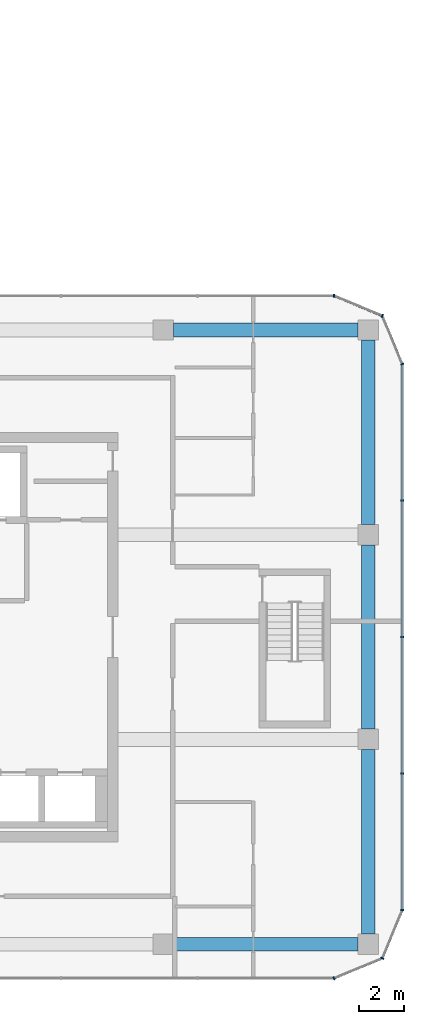
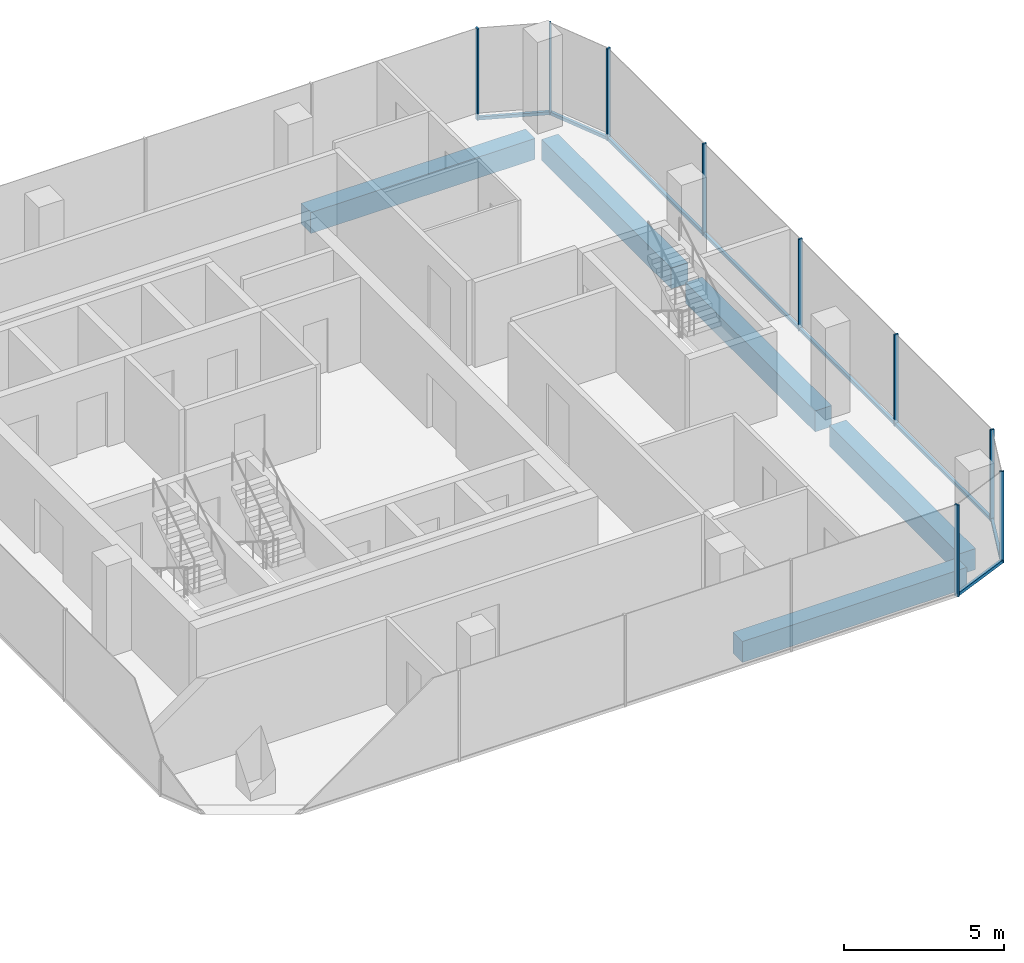
# One storey, part 10 of 23: 14 members, 5 beams, 6 elements without a shape of their own.
"""IFC4 building model written with IfcOpenShell, lengths in metres."""

from ifc_helpers import new_model, si_unit, direction, frame, origin, origin_2d, place, context, subcontext, project, spatial, rectangle, extrude, material, layer, layer_set, material_profile, profile_set, type_object, element, aggregate, save


model = new_model("IFC4")

# Units and contexts
model_context = context("Model", 3, precision=1e-05, world=origin(), true_north=direction((0.0, 1.0)))
body_context = subcontext(model_context, "Body", "Model", "MODEL_VIEW")
ifc_project = project(units=[si_unit("LENGTHUNIT", "METRE"), si_unit("AREAUNIT", "SQUARE_METRE"), si_unit("VOLUMEUNIT", "CUBIC_METRE"), si_unit("PLANEANGLEUNIT", "RADIAN"), si_unit("MASSUNIT", "GRAM", prefix="KILO")], contexts=[model_context])

# Site, building, storey
site_placement = place(None, origin())
site = spatial("IfcSite", under=ifc_project, at=site_placement, CompositionType="ELEMENT")
building_placement = place(site_placement, origin())
building = spatial("IfcBuilding", under=site, at=building_placement, Name="Plateau Cross Towers", CompositionType="ELEMENT")
storey_placement = place(building_placement, frame((0.0, 0.0, 88.800048828125)))
storey = spatial("IfcBuildingStorey", under=building, at=storey_placement, Name="L22", CompositionType="ELEMENT", Elevation=88.800048828125)

# Curtain wall, member
ifc_material_1 = material(Name="Dark low-iron glass", Category="glass")
ifc_layer = layer(ifc_material_1, 0.239990234375)
ifc_layer_set = layer_set([ifc_layer], Name="Dark low-iron glass")
curtain_wall_type = type_object("IfcCurtainWallType", Name="Curtain wall office unitised CW-F", PredefinedType="NOTDEFINED", material=ifc_layer_set)
curtain_wall_1_placement = place(storey_placement, origin())
curtain_wall_1 = element("IfcCurtainWall", 1, at=curtain_wall_1_placement, inside=storey, type_object=curtain_wall_type, Name="ENV/B/L22/B990_-60", PredefinedType="NOTDEFINED")
ifc_material_2 = material(Name="Black anodised aluminium", Category="aluminium")
ifc_material_profile_1 = material_profile(ifc_material_2, rectangle(XDim=0.06005859375, YDim=0.139892578125, at=origin_2d()), Name="MULLION 60x140")
ifc_profile_set_1 = profile_set([ifc_material_profile_1], Name="Black anodised aluminium")
member_type_1 = type_object("IfcMemberType", Name="Mullion 60x140 office unitised", PredefinedType="MULLION", material=ifc_profile_set_1)
member_1_placement = place(storey_placement, frame((99.0, -6.0, -0.25), z_axis=(0.0, 0.0, 1.0), x_axis=(0.923879457699, 0.382683612978, 0.0)))
member_1 = element("IfcMember", 2, at=member_1_placement, type_object=member_type_1, Name="CW-F mullion 1", PredefinedType="MULLION", context=body_context, shape_type="SweptSolid", body=[
    extrude(rectangle(XDim=0.06005859375, YDim=0.139892578125, at=origin_2d()), origin(), (0.0, 0.0, 1.0), 3.5),
])

curtain_wall_2_placement = place(storey_placement, origin())
curtain_wall_2 = element("IfcCurtainWall", 3, at=curtain_wall_2_placement, inside=storey, type_object=curtain_wall_type, Name="ENV/B/L22/B1011_-51", PredefinedType="NOTDEFINED")
member_2_placement = place(storey_placement, frame((101.121337890625, -5.121337890625, -0.25), z_axis=(0.0, 0.0, 1.0), x_axis=(0.382683612978, 0.923879457699, 0.0)))
member_2 = element("IfcMember", 4, at=member_2_placement, type_object=member_type_1, Name="CW-F mullion 1", PredefinedType="MULLION", context=body_context, shape_type="SweptSolid", body=[
    extrude(rectangle(XDim=0.06005859375, YDim=0.139892578125, at=origin_2d()), origin(), (0.0, 0.0, 1.0), 3.5),
])

# Curtain wall, members
curtain_wall_3_placement = place(storey_placement, origin())
curtain_wall_3 = element("IfcCurtainWall", 5, at=curtain_wall_3_placement, inside=storey, type_object=curtain_wall_type, Name="ENV/B/L22/B1020_-30", PredefinedType="NOTDEFINED")
member_3_placement = place(storey_placement, frame((102.0, -3.0, -0.25), z_axis=(0.0, 0.0, 1.0), x_axis=(0.0, 1.0, 0.0)))
member_3 = element("IfcMember", 6, at=member_3_placement, type_object=member_type_1, Name="CW-F mullion 1", PredefinedType="MULLION", context=body_context, shape_type="SweptSolid", body=[
    extrude(rectangle(XDim=0.06005859375, YDim=0.139892578125, at=origin_2d()), origin(), (0.0, 0.0, 1.0), 3.5),
])
member_4_placement = place(storey_placement, frame((102.0, 3.0, -0.25), z_axis=(0.0, 0.0, 1.0), x_axis=(0.0, 1.0, 0.0)))
member_4 = element("IfcMember", 7, at=member_4_placement, type_object=member_type_1, Name="CW-F mullion 2", PredefinedType="MULLION", context=body_context, shape_type="SweptSolid", body=[
    extrude(rectangle(XDim=0.06005859375, YDim=0.139892578125, at=origin_2d()), origin(), (0.0, 0.0, 1.0), 3.5),
])
member_5_placement = place(storey_placement, frame((102.0, 9.0, -0.25), z_axis=(0.0, 0.0, 1.0), x_axis=(0.0, 1.0, 0.0)))
member_5 = element("IfcMember", 8, at=member_5_placement, type_object=member_type_1, Name="CW-F mullion 3", PredefinedType="MULLION", context=body_context, shape_type="SweptSolid", body=[
    extrude(rectangle(XDim=0.06005859375, YDim=0.139892578125, at=origin_2d()), origin(), (0.0, 0.0, 1.0), 3.5),
])
member_6_placement = place(storey_placement, frame((102.0, 15.0, -0.25), z_axis=(0.0, 0.0, 1.0), x_axis=(0.0, 1.0, 0.0)))
member_6 = element("IfcMember", 9, at=member_6_placement, type_object=member_type_1, Name="CW-F mullion 4", PredefinedType="MULLION", context=body_context, shape_type="SweptSolid", body=[
    extrude(rectangle(XDim=0.06005859375, YDim=0.139892578125, at=origin_2d()), origin(), (0.0, 0.0, 1.0), 3.5),
])

# Curtain wall, member
curtain_wall_4_placement = place(storey_placement, origin())
curtain_wall_4 = element("IfcCurtainWall", 10, at=curtain_wall_4_placement, inside=storey, type_object=curtain_wall_type, Name="ENV/B/L22/B1020_210", PredefinedType="NOTDEFINED")
member_7_placement = place(storey_placement, frame((102.0, 21.0, -0.25), z_axis=(0.0, 0.0, 1.0), x_axis=(-0.382683612978, 0.923879457699, 0.0)))
member_7 = element("IfcMember", 11, at=member_7_placement, type_object=member_type_1, Name="CW-F mullion 1", PredefinedType="MULLION", context=body_context, shape_type="SweptSolid", body=[
    extrude(rectangle(XDim=0.06005859375, YDim=0.139892578125, at=origin_2d()), origin(), (0.0, 0.0, 1.0), 3.5),
])

curtain_wall_5_placement = place(storey_placement, origin())
curtain_wall_5 = element("IfcCurtainWall", 12, at=curtain_wall_5_placement, inside=storey, type_object=curtain_wall_type, Name="ENV/B/L22/B1011_231", PredefinedType="NOTDEFINED")
member_8_placement = place(storey_placement, frame((101.121337890625, 23.121337890625, -0.25), z_axis=(0.0, 0.0, 1.0), x_axis=(-0.923879457699, 0.382683612978, 0.0)))
member_8 = element("IfcMember", 13, at=member_8_placement, type_object=member_type_1, Name="CW-F mullion 1", PredefinedType="MULLION", context=body_context, shape_type="SweptSolid", body=[
    extrude(rectangle(XDim=0.06005859375, YDim=0.139892578125, at=origin_2d()), origin(), (0.0, 0.0, 1.0), 3.5),
])

curtain_wall_6_placement = place(storey_placement, origin())
curtain_wall_6 = element("IfcCurtainWall", 14, at=curtain_wall_6_placement, inside=storey, type_object=curtain_wall_type, Name="ENV/B/L22/B990_240", PredefinedType="NOTDEFINED")
member_9_placement = place(storey_placement, frame((99.0, 24.0, -0.25), z_axis=(0.0, 0.0, 1.0), x_axis=(-1.0, 0.0, 0.0)))
member_9 = element("IfcMember", 15, at=member_9_placement, type_object=member_type_1, Name="CW-F mullion 1", PredefinedType="MULLION", context=body_context, shape_type="SweptSolid", body=[
    extrude(rectangle(XDim=0.06005859375, YDim=0.139892578125, at=origin_2d()), origin(), (0.0, 0.0, 1.0), 3.5),
])
aggregate(curtain_wall_6, [member_9])

# Beams
ifc_material_3 = material(Name="Concrete C60/75", Category="concrete")
ifc_material_profile_2 = material_profile(ifc_material_3, rectangle(XDim=0.60009765625, YDim=0.800048828125, at=origin_2d()), Name="RC 600x800")
ifc_profile_set_2 = profile_set([ifc_material_profile_2], Name="Concrete C60/75")
beam_type = type_object("IfcBeamType", Name="Ring beam RC 600x800", PredefinedType="BEAM", material=ifc_profile_set_2)
for number, where, z_axis, x_axis, name in (
    (16, (91.949951171875, -4.5, -0.650146484375), (1.0, 0.0, 0.0), (0.0, 1.0, 0.0), "B-RB02@L22"),
    (17, (100.5, -4.050048828125, -0.650146484375), (0.0, 1.0, 0.0), (-1.0, 0.0, 0.0), "B-RB03@L22"),
    (18, (100.5, 4.949951171875, -0.650146484375), (0.0, 1.0, 0.0), (-1.0, 0.0, 0.0), "B-RB04@L22"),
    (19, (100.5, 13.949951171875, -0.650146484375), (0.0, 1.0, 0.0), (-1.0, 0.0, 0.0), "B-RB05@L22"),
    (20, (100.050048828125, 22.5, -0.650146484375), (-1.0, 0.0, 0.0), (0.0, -1.0, 0.0), "B-RB06@L22"),
):
    element("IfcBeam", number, at=place(storey_placement, frame(where, z_axis=z_axis, x_axis=x_axis)), inside=storey, type_object=beam_type, Name=name, PredefinedType="BEAM", context=body_context, shape_type="SweptSolid", body=[
        extrude(rectangle(XDim=0.60009765625, YDim=0.800048828125, at=origin_2d()), origin(), (0.0, 0.0, 1.0), 8.10009765625),
    ])

# Member
ifc_material_profile_3 = material_profile(ifc_material_2, rectangle(XDim=0.10009765625, YDim=0.1201171875, at=origin_2d()), Name="TRANSOM 100x120")
ifc_profile_set_3 = profile_set([ifc_material_profile_3], Name="Black anodised aluminium")
member_type_2 = type_object("IfcMemberType", Name="Transom 100x120 office unitised", PredefinedType="USERDEFINED", material=ifc_profile_set_3)
member_10_placement = place(storey_placement, frame((99.0, -6.0, -0.18994140625), z_axis=(0.923883353507, 0.382674207535, 0.0), x_axis=(-0.382674207535, 0.923883353507, 0.0)))
member_10 = element("IfcMember", 21, at=member_10_placement, type_object=member_type_2, Name="CW-F transom", ObjectType="TRANSOM", PredefinedType="USERDEFINED", context=body_context, shape_type="SweptSolid", body=[
    extrude(rectangle(XDim=0.10009765625, YDim=0.1201171875, at=origin_2d()), origin(), (0.0, 0.0, 1.0), 2.296142578125),
])

aggregate(curtain_wall_1, [member_1, member_10])

member_11_placement = place(storey_placement, frame((101.121337890625, -5.121337890625, -0.18994140625), z_axis=(0.382674207535, 0.923883353507, 0.0), x_axis=(-0.923883353507, 0.382674207535, 0.0)))
member_11 = element("IfcMember", 22, at=member_11_placement, type_object=member_type_2, Name="CW-F transom", ObjectType="TRANSOM", PredefinedType="USERDEFINED", context=body_context, shape_type="SweptSolid", body=[
    extrude(rectangle(XDim=0.10009765625, YDim=0.1201171875, at=origin_2d()), origin(), (0.0, 0.0, 1.0), 2.296142578125),
])

aggregate(curtain_wall_2, [member_2, member_11])

member_12_placement = place(storey_placement, frame((102.0, -3.0, -0.18994140625), z_axis=(0.0, 1.0, 0.0), x_axis=(-1.0, 0.0, 0.0)))
member_12 = element("IfcMember", 23, at=member_12_placement, type_object=member_type_2, Name="CW-F transom", ObjectType="TRANSOM", PredefinedType="USERDEFINED", context=body_context, shape_type="SweptSolid", body=[
    extrude(rectangle(XDim=0.10009765625, YDim=0.1201171875, at=origin_2d()), origin(), (0.0, 0.0, 1.0), 24.0),
])

aggregate(curtain_wall_3, [member_3, member_4, member_5, member_6, member_12])

member_13_placement = place(storey_placement, frame((102.0, 21.0, -0.18994140625), z_axis=(-0.382674207535, 0.923883353507, 0.0), x_axis=(-0.923883353507, -0.382674207535, 0.0)))
member_13 = element("IfcMember", 24, at=member_13_placement, type_object=member_type_2, Name="CW-F transom", ObjectType="TRANSOM", PredefinedType="USERDEFINED", context=body_context, shape_type="SweptSolid", body=[
    extrude(rectangle(XDim=0.10009765625, YDim=0.1201171875, at=origin_2d()), origin(), (0.0, 0.0, 1.0), 2.296142578125),
])

aggregate(curtain_wall_4, [member_7, member_13])

member_14_placement = place(storey_placement, frame((101.121337890625, 23.121337890625, -0.18994140625), z_axis=(-0.923883353507, 0.382674207535, 0.0), x_axis=(-0.382674207535, -0.923883353507, 0.0)))
member_14 = element("IfcMember", 25, at=member_14_placement, type_object=member_type_2, Name="CW-F transom", ObjectType="TRANSOM", PredefinedType="USERDEFINED", context=body_context, shape_type="SweptSolid", body=[
    extrude(rectangle(XDim=0.10009765625, YDim=0.1201171875, at=origin_2d()), origin(), (0.0, 0.0, 1.0), 2.296142578125),
])

aggregate(curtain_wall_5, [member_8, member_14])

save(model, "model.ifc")
